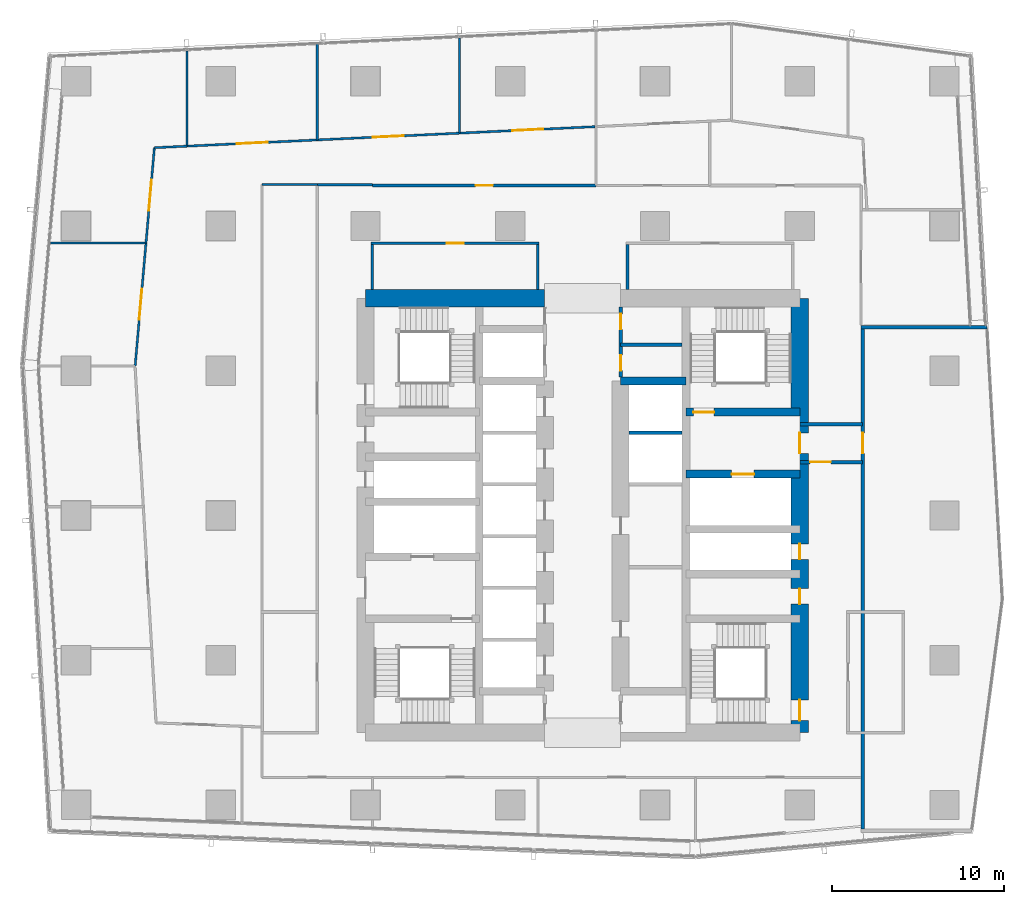
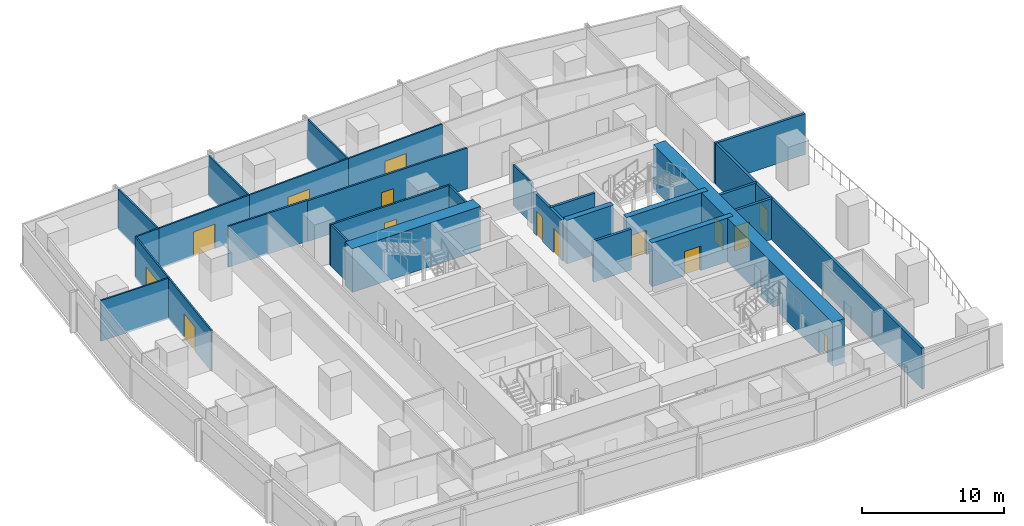
# One storey, part 26 of 34: 29 walls, 17 doors, 17 openings.
"""IFC4 building model written with IfcOpenShell, lengths in metres."""

from ifc_helpers import new_model, si_unit, direction, frame, frame_2d, origin, place, context, subcontext, project, spatial, rectangle, extrude, material, layer, layer_set, type_object, element, fill, save


model = new_model("IFC4")

# Units and contexts
model_context = context("Model", 3, precision=1e-05, world=origin(), true_north=direction((0.0, 1.0)))
body_context = subcontext(model_context, "Body", "Model", "MODEL_VIEW")
ifc_project = project(units=[si_unit("LENGTHUNIT", "METRE"), si_unit("AREAUNIT", "SQUARE_METRE"), si_unit("VOLUMEUNIT", "CUBIC_METRE"), si_unit("PLANEANGLEUNIT", "RADIAN"), si_unit("MASSUNIT", "GRAM", prefix="KILO")], contexts=[model_context])

# Site, building, storey
site_placement = place(None, origin())
site = spatial("IfcSite", under=ifc_project, at=site_placement, CompositionType="ELEMENT")
building_placement = place(site_placement, origin())
building = spatial("IfcBuilding", under=site, at=building_placement, Name="Rekha Terrace Tower", CompositionType="ELEMENT")
storey_placement = place(building_placement, frame((0.0, 0.0, 176.449951171875)))
storey = spatial("IfcBuildingStorey", under=building, at=storey_placement, Name="L44", CompositionType="ELEMENT", Elevation=176.449951171875)

# Wall
ifc_material_1 = material(Name="Concrete M60", Category="concrete")
ifc_layer_1 = layer(ifc_material_1, 0.449951171875)
ifc_layer_set_1 = layer_set([ifc_layer_1], Name="Concrete M60")
wall_type_1 = type_object("IfcWallType", Name="CI3 450 core internal shear wall", PredefinedType="SHEAR", material=ifc_layer_set_1)
wall_1_placement = place(storey_placement, frame((40.0, 41.39990234375, 0.0), z_axis=(0.0, 0.0, 1.0), x_axis=(1.0, 0.0, 0.0)))
element("IfcWall", 1, at=wall_1_placement, inside=storey, type_object=wall_type_1, Name="Core wall Y414E L44", PredefinedType="SHEAR", context=body_context, shape_type="SweptSolid", body=[
    extrude(rectangle(XDim=3.800048828125, YDim=0.449951171875, at=frame_2d((1.89990234375, 0.0))), origin(), (0.0, 0.0, 1.0), 3.75),
])

# Wall, opening, door
wall_2_placement = place(storey_placement, frame((43.800048828125, 36.0, 0.0), z_axis=(0.0, 0.0, 1.0), x_axis=(1.0, 0.0, 0.0)))
wall_2 = element("IfcWall", 2, at=wall_2_placement, inside=storey, type_object=wall_type_1, Name="Core wall Y360E L44", PredefinedType="SHEAR", context=body_context, shape_type="SweptSolid", body=[
    extrude(rectangle(XDim=6.599853515625, YDim=0.449951171875, at=frame_2d((3.2998046875, 0.0))), origin(), (0.0, 0.0, 1.0), 3.75),
])
opening_1_placement = place(wall_2_placement, frame((2.64990234375, 0.0, 0.0)))
opening_1 = element("IfcOpeningElement", 3, at=opening_1_placement, cuts=wall_2, Name="Opening LD2", PredefinedType="OPENING", context=body_context, shape_type="SweptSolid", body=[
    extrude(rectangle(XDim=1.300048828125, YDim=2.10009765625, at=frame_2d((0.64990234375, 1.050048828125))), frame((0.0, 0.23486328125, 0.0), z_axis=(0.0, -1.0, 0.0), x_axis=(1.0, 0.0, 0.0)), (0.0, 0.0, 1.0), 0.469970703125),
])
ifc_material_2 = material(Name="Stainless steel sliding landing door", Category="steel")
door_type_1 = type_object("IfcDoorType", Name="LD2 1300x2100 fire lift landing door", OperationType="SLIDING_TO_LEFT", PredefinedType="USERDEFINED", material=ifc_material_2)
door_1_placement = place(opening_1_placement, origin())
door_1 = element("IfcDoor", 4, at=door_1_placement, inside=storey, type_object=door_type_1, Name="Lift FL2 landing door L44", ObjectType="LIFT LANDING DOOR", OperationType="SLIDING_TO_LEFT", OverallHeight=2.10009765625, OverallWidth=1.300048828125, PredefinedType="USERDEFINED", context=body_context, shape_type="SweptSolid", body=[
    extrude(rectangle(XDim=1.300048828125, YDim=2.10009765625, at=frame_2d((0.64990234375, 1.050048828125))), frame((0.0, 0.02490234375, 0.0), z_axis=(0.0, -1.0, 0.0), x_axis=(1.0, 0.0, 0.0)), (0.0, 0.0, 1.0), 0.050048828125),
])
fill(opening_1, door_1)

wall_3_placement = place(storey_placement, frame((43.800048828125, 39.60009765625, 0.0), z_axis=(0.0, 0.0, 1.0), x_axis=(1.0, 0.0, 0.0)))
wall_3 = element("IfcWall", 5, at=wall_3_placement, inside=storey, type_object=wall_type_1, Name="Core wall Y396E L44", PredefinedType="SHEAR", context=body_context, shape_type="SweptSolid", body=[
    extrude(rectangle(XDim=6.599853515625, YDim=0.449951171875, at=frame_2d((3.2998046875, 0.0))), origin(), (0.0, 0.0, 1.0), 3.75),
])
opening_2_placement = place(wall_3_placement, frame((0.425048828125, 0.0, 0.0)))
opening_2 = element("IfcOpeningElement", 6, at=opening_2_placement, cuts=wall_3, Name="Opening D1", PredefinedType="OPENING", context=body_context, shape_type="SweptSolid", body=[
    extrude(rectangle(XDim=1.199951171875, YDim=2.10009765625, at=frame_2d((0.60009765625, 1.050048828125))), frame((0.0, 0.23486328125, 0.0), z_axis=(0.0, -1.0, 0.0), x_axis=(1.0, 0.0, 0.0)), (0.0, 0.0, 1.0), 0.469970703125),
])
ifc_material_3 = material(Name="Steel fire door", Category="steel")
door_type_2 = type_object("IfcDoorType", Name="D1 1200x2100 stair fire door", OperationType="SINGLE_SWING_RIGHT", PredefinedType="DOOR", material=ifc_material_3)
door_2_placement = place(opening_2_placement, origin())
door_2 = element("IfcDoor", 7, at=door_2_placement, inside=storey, type_object=door_type_2, Name="Stair ST2 door L44", OperationType="SINGLE_SWING_RIGHT", OverallHeight=2.10009765625, OverallWidth=1.199951171875, PredefinedType="DOOR", context=body_context, shape_type="SweptSolid", body=[
    extrude(rectangle(XDim=1.199951171875, YDim=2.10009765625, at=frame_2d((0.60009765625, 1.050048828125))), frame((0.0, 0.02490234375, 0.0), z_axis=(0.0, -1.0, 0.0), x_axis=(1.0, 0.0, 0.0)), (0.0, 0.0, 1.0), 0.050048828125),
])
fill(opening_2, door_2)

# Wall
ifc_layer_2 = layer(ifc_material_1, 1.0)
ifc_layer_set_2 = layer_set([ifc_layer_2], Name="Concrete M60")
wall_type_2 = type_object("IfcWallType", Name="SW3 1000 core outer shear wall", PredefinedType="SHEAR", material=ifc_layer_set_2)
wall_4_placement = place(storey_placement, frame((25.199951171875, 46.199951171875, 0.0), z_axis=(0.0, 0.0, 1.0), x_axis=(1.0, 0.0, 0.0)))
element("IfcWall", 8, at=wall_4_placement, inside=storey, type_object=wall_type_2, Name="Core wall N1 L44", PredefinedType="SHEAR", context=body_context, shape_type="SweptSolid", body=[
    extrude(rectangle(XDim=10.400146484375, YDim=1.0, at=frame_2d((5.2001953125, 0.0))), origin(), (0.0, 0.0, 1.0), 3.75),
])

# Wall, openings, doors
wall_5_placement = place(storey_placement, frame((50.39990234375, 21.0, 0.0), z_axis=(0.0, 0.0, 1.0), x_axis=(0.0, 1.0, 0.0)))
wall_5 = element("IfcWall", 9, at=wall_5_placement, inside=storey, type_object=wall_type_2, Name="Core wall E L44", PredefinedType="SHEAR", context=body_context, shape_type="SweptSolid", body=[
    extrude(rectangle(XDim=25.199951171875, YDim=1.0, at=frame_2d((12.60009765625, 0.0))), origin(), (0.0, 0.0, 1.0), 3.75),
])
opening_3_placement = place(wall_5_placement, frame((16.199951171875, 0.0, 0.0)))
opening_3 = element("IfcOpeningElement", 10, at=opening_3_placement, cuts=wall_5, Name="Opening D2", PredefinedType="OPENING", context=body_context, shape_type="SweptSolid", body=[
    extrude(rectangle(XDim=1.199951171875, YDim=2.10009765625, at=frame_2d((0.60009765625, 1.050048828125))), frame((0.0, 0.510009765625, 0.0), z_axis=(0.0, -1.0, 0.0), x_axis=(1.0, 0.0, 0.0)), (0.0, 0.0, 1.0), 1.02001953125),
])
opening_4_placement = place(wall_5_placement, frame((10.050048828125, 0.0, 0.0)))
opening_4 = element("IfcOpeningElement", 11, at=opening_4_placement, cuts=wall_5, Name="Opening D5", PredefinedType="OPENING", context=body_context, shape_type="SweptSolid", body=[
    extrude(rectangle(XDim=0.89990234375, YDim=2.10009765625, at=frame_2d((0.449951171875, 1.050048828125))), frame((0.0, 0.510009765625, 0.0), z_axis=(0.0, -1.0, 0.0), x_axis=(1.0, 0.0, 0.0)), (0.0, 0.0, 1.0), 1.02001953125),
])
opening_5_placement = place(wall_5_placement, frame((7.449951171875, 0.0, 0.0)))
opening_5 = element("IfcOpeningElement", 12, at=opening_5_placement, cuts=wall_5, Name="Opening D5", PredefinedType="OPENING", context=body_context, shape_type="SweptSolid", body=[
    extrude(rectangle(XDim=0.89990234375, YDim=2.10009765625, at=frame_2d((0.449951171875, 1.050048828125))), frame((0.0, 0.510009765625, 0.0), z_axis=(0.0, -1.0, 0.0), x_axis=(1.0, 0.0, 0.0)), (0.0, 0.0, 1.0), 1.02001953125),
])
opening_6_placement = place(wall_5_placement, frame((0.699951171875, 0.0, 0.0)))
opening_6 = element("IfcOpeningElement", 13, at=opening_6_placement, cuts=wall_5, Name="Opening D1", PredefinedType="OPENING", context=body_context, shape_type="SweptSolid", body=[
    extrude(rectangle(XDim=1.199951171875, YDim=2.10009765625, at=frame_2d((0.60009765625, 1.050048828125))), frame((0.0, 0.510009765625, 0.0), z_axis=(0.0, -1.0, 0.0), x_axis=(1.0, 0.0, 0.0)), (0.0, 0.0, 1.0), 1.02001953125),
])
door_3_placement = place(opening_6_placement, origin())
door_3 = element("IfcDoor", 14, at=door_3_placement, inside=storey, type_object=door_type_2, Name="Stair ST3 door L44", OperationType="SINGLE_SWING_RIGHT", OverallHeight=2.10009765625, OverallWidth=1.199951171875, PredefinedType="DOOR", context=body_context, shape_type="SweptSolid", body=[
    extrude(rectangle(XDim=1.199951171875, YDim=2.10009765625, at=frame_2d((0.60009765625, 1.050048828125))), frame((0.0, 0.02490234375, 0.0), z_axis=(0.0, -1.0, 0.0), x_axis=(1.0, 0.0, 0.0)), (0.0, 0.0, 1.0), 0.050048828125),
])
fill(opening_6, door_3)
door_type_3 = type_object("IfcDoorType", Name="D2 1200x2100 firefighting lobby door", OperationType="SINGLE_SWING_LEFT", PredefinedType="DOOR", material=ifc_material_3)
door_4_placement = place(opening_3_placement, origin())
door_4 = element("IfcDoor", 15, at=door_4_placement, inside=storey, type_object=door_type_3, Name="Door flb2 L44", OperationType="SINGLE_SWING_LEFT", OverallHeight=2.10009765625, OverallWidth=1.199951171875, PredefinedType="DOOR", context=body_context, shape_type="SweptSolid", body=[
    extrude(rectangle(XDim=1.199951171875, YDim=2.10009765625, at=frame_2d((0.60009765625, 1.050048828125))), frame((0.0, 0.02490234375, 0.0), z_axis=(0.0, -1.0, 0.0), x_axis=(1.0, 0.0, 0.0)), (0.0, 0.0, 1.0), 0.050048828125),
])
fill(opening_3, door_4)
door_type_4 = type_object("IfcDoorType", Name="D5 900x2100 riser access door", OperationType="SINGLE_SWING_LEFT", PredefinedType="DOOR", material=ifc_material_3)
door_5_placement = place(opening_4_placement, origin())
door_5 = element("IfcDoor", 16, at=door_5_placement, inside=storey, type_object=door_type_4, Name="Door rs2 L44", OperationType="SINGLE_SWING_LEFT", OverallHeight=2.10009765625, OverallWidth=0.89990234375, PredefinedType="DOOR", context=body_context, shape_type="SweptSolid", body=[
    extrude(rectangle(XDim=0.89990234375, YDim=2.10009765625, at=frame_2d((0.449951171875, 1.050048828125))), frame((0.0, 0.02490234375, 0.0), z_axis=(0.0, -1.0, 0.0), x_axis=(1.0, 0.0, 0.0)), (0.0, 0.0, 1.0), 0.050048828125),
])
fill(opening_4, door_5)
door_6_placement = place(opening_5_placement, origin())
door_6 = element("IfcDoor", 17, at=door_6_placement, inside=storey, type_object=door_type_4, Name="Door ele L44", OperationType="SINGLE_SWING_LEFT", OverallHeight=2.10009765625, OverallWidth=0.89990234375, PredefinedType="DOOR", context=body_context, shape_type="SweptSolid", body=[
    extrude(rectangle(XDim=0.89990234375, YDim=2.10009765625, at=frame_2d((0.449951171875, 1.050048828125))), frame((0.0, 0.02490234375, 0.0), z_axis=(0.0, -1.0, 0.0), x_axis=(1.0, 0.0, 0.0)), (0.0, 0.0, 1.0), 0.050048828125),
])
fill(opening_5, door_6)

# Wall
ifc_material_4 = material(Name="Concrete block masonry, 1 hour", Category="masonry")
ifc_layer_3 = layer(ifc_material_4, 0.14990234375)
ifc_layer_set_3 = layer_set([ifc_layer_3], Name="Concrete block masonry, 1 hour")
wall_type_3 = type_object("IfcWallType", Name="WP2 150 tenancy partition", PredefinedType="PARTITIONING", material=ifc_layer_set_3)
wall_6_placement = place(storey_placement, frame((40.39990234375, 46.699951171875, 0.0), z_axis=(0.0, 0.0, 1.0), x_axis=(0.0, 1.0, 0.0)))
element("IfcWall", 18, at=wall_6_placement, inside=storey, type_object=wall_type_3, Name="Women's WC wall L44", PredefinedType="PARTITIONING", context=body_context, shape_type="SweptSolid", body=[
    extrude(rectangle(XDim=2.625, YDim=0.14990234375, at=frame_2d((1.3125, 0.0))), origin(), (0.0, 0.0, 1.0), 3.5),
])

# Wall, opening, door
wall_7_placement = place(storey_placement, frame((25.52490234375, 49.39990234375, 0.0), z_axis=(0.0, 0.0, 1.0), x_axis=(1.0, 0.0, 0.0)))
wall_7 = element("IfcWall", 19, at=wall_7_placement, inside=storey, type_object=wall_type_3, Name="Women's WC wall L44", PredefinedType="PARTITIONING", context=body_context, shape_type="SweptSolid", body=[
    extrude(rectangle(XDim=9.75, YDim=0.14990234375, at=frame_2d((4.875, 0.0))), origin(), (0.0, 0.0, 1.0), 3.5),
])
opening_7_placement = place(wall_7_placement, frame((4.375, 0.0, 0.0)))
opening_7 = element("IfcOpeningElement", 20, at=opening_7_placement, cuts=wall_7, Name="Opening D3", PredefinedType="OPENING", context=body_context, shape_type="SweptSolid", body=[
    extrude(rectangle(XDim=1.0, YDim=2.10009765625, at=frame_2d((0.5, 1.050048828125))), frame((0.0, 0.0849609375, 0.0), z_axis=(0.0, -1.0, 0.0), x_axis=(1.0, 0.0, 0.0)), (0.0, 0.0, 1.0), 0.169921875),
])
ifc_material_5 = material(Name="Laminated timber fire door", Category="wood")
door_type_5 = type_object("IfcDoorType", Name="D3 1000x2100 WC door", OperationType="SINGLE_SWING_LEFT", PredefinedType="DOOR", material=ifc_material_5)
door_7_placement = place(opening_7_placement, origin())
door_7 = element("IfcDoor", 21, at=door_7_placement, inside=storey, type_object=door_type_5, Name="Door women's wc L44", OperationType="SINGLE_SWING_LEFT", OverallHeight=2.10009765625, OverallWidth=1.0, PredefinedType="DOOR", context=body_context, shape_type="SweptSolid", body=[
    extrude(rectangle(XDim=1.0, YDim=2.10009765625, at=frame_2d((0.5, 1.050048828125))), frame((0.0, 0.02490234375, 0.0), z_axis=(0.0, -1.0, 0.0), x_axis=(1.0, 0.0, 0.0)), (0.0, 0.0, 1.0), 0.050048828125),
])
fill(opening_7, door_7)

# Walls
for number, where, z_axis, x_axis, name in (
    (22, (25.60009765625, 46.699951171875, 0.0), (0.0, 0.0, 1.0), (0.0, 1.0, 0.0), "Women's WC wall L44"),
    (23, (35.199951171875, 46.699951171875, 0.0), (0.0, 0.0, 1.0), (0.0, 1.0, 0.0), "Women's WC wall L44"),
):
    element("IfcWall", number, at=place(storey_placement, frame(where, z_axis=z_axis, x_axis=x_axis)), inside=storey, type_object=wall_type_3, Name=name, PredefinedType="PARTITIONING", context=body_context, shape_type="SweptSolid", body=[
        extrude(rectangle(XDim=2.625, YDim=0.14990234375, at=frame_2d((1.3125, 0.0))), origin(), (0.0, 0.0, 1.0), 3.5),
    ])

# Wall, opening, door
wall_8_placement = place(storey_placement, frame((38.570068359375, 52.75, 0.0), z_axis=(0.0, 0.0, 1.0), x_axis=(-1.0, 0.0, 0.0)))
wall_8 = element("IfcWall", 24, at=wall_8_placement, inside=storey, type_object=wall_type_3, Name="Partition L44-O2", PredefinedType="PARTITIONING", context=body_context, shape_type="SweptSolid", body=[
    extrude(rectangle(XDim=12.968017578125, YDim=0.14990234375, at=frame_2d((6.48388671875, 0.0))), origin(), (0.0, 0.0, 1.0), 3.5),
])
opening_8_placement = place(wall_8_placement, frame((5.98388671875, 0.0, 0.0)))
opening_8 = element("IfcOpeningElement", 25, at=opening_8_placement, cuts=wall_8, Name="Opening D9", PredefinedType="OPENING", context=body_context, shape_type="SweptSolid", body=[
    extrude(rectangle(XDim=1.0, YDim=2.10009765625, at=frame_2d((0.5, 1.050048828125))), frame((0.0, 0.0849609375, 0.0), z_axis=(0.0, -1.0, 0.0), x_axis=(1.0, 0.0, 0.0)), (0.0, 0.0, 1.0), 0.169921875),
])
ifc_material_6 = material(Name="Timber fire door", Category="wood")
door_type_6 = type_object("IfcDoorType", Name="D9 1000x2100 office door", OperationType="SINGLE_SWING_LEFT", PredefinedType="DOOR", material=ifc_material_6)
door_8_placement = place(opening_8_placement, origin())
door_8 = element("IfcDoor", 26, at=door_8_placement, inside=storey, type_object=door_type_6, Name="Door open-plan office L44", OperationType="SINGLE_SWING_LEFT", OverallHeight=2.10009765625, OverallWidth=1.0, PredefinedType="DOOR", context=body_context, shape_type="SweptSolid", body=[
    extrude(rectangle(XDim=1.0, YDim=2.10009765625, at=frame_2d((0.5, 1.050048828125))), frame((0.0, 0.02490234375, 0.0), z_axis=(0.0, -1.0, 0.0), x_axis=(1.0, 0.0, 0.0)), (0.0, 0.0, 1.0), 0.050048828125),
])
fill(opening_8, door_8)

# Wall
wall_9_placement = place(storey_placement, frame((25.60205078125, 52.800048828125, 0.0), z_axis=(0.0, 0.0, 1.0), x_axis=(-1.0, 0.0, 0.0)))
element("IfcWall", 27, at=wall_9_placement, inside=storey, type_object=wall_type_3, Name="Partition L44-O2", PredefinedType="PARTITIONING", context=body_context, shape_type="SweptSolid", body=[
    extrude(rectangle(XDim=3.2021484375, YDim=0.14990234375, at=frame_2d((1.60107421875, 0.0))), origin(), (0.0, 0.0, 1.0), 3.5),
])

# Wall, opening, door
ifc_material_7 = material(Name="Two layers of fire-rated gypsum board each side on steel studs, acoustic quilt, 1 hour", Category="steel")
ifc_layer_4 = layer(ifc_material_7, 0.125)
ifc_layer_set_4 = layer_set([ifc_layer_4], Name="Two layers of fire-rated gypsum board each side on steel studs, acoustic quilt, 1 hour")
wall_type_4 = type_object("IfcWallType", Name="WP3 125 office partition", PredefinedType="PARTITIONING", material=ifc_layer_set_4)
wall_10_placement = place(storey_placement, frame((38.508056640625, 56.160888671875, 0.0), z_axis=(0.0, 0.0, 1.0), x_axis=(-0.998859754224, -0.047740877571, 0.0)))
wall_10 = element("IfcWall", 28, at=wall_10_placement, inside=storey, type_object=wall_type_4, Name="Partition L44-09", PredefinedType="PARTITIONING", context=body_context, shape_type="SweptSolid", body=[
    extrude(rectangle(XDim=7.85498046875, YDim=0.125, at=frame_2d((3.927490234375, 0.0))), origin(), (0.0, 0.0, 1.0), 3.5),
])
opening_9_placement = place(wall_10_placement, frame((2.9970703125, 0.0, 0.0)))
opening_9 = element("IfcOpeningElement", 29, at=opening_9_placement, cuts=wall_10, Name="Opening D8", PredefinedType="OPENING", context=body_context, shape_type="SweptSolid", body=[
    extrude(rectangle(XDim=1.800048828125, YDim=2.10009765625, at=frame_2d((0.89990234375, 1.050048828125))), frame((0.0, 0.072509765625, 0.0), z_axis=(0.0, -1.0, 0.0), x_axis=(1.0, 0.0, 0.0)), (0.0, 0.0, 1.0), 0.14501953125),
])
door_type_7 = type_object("IfcDoorType", Name="D8 1800x2100 double leaf door", OperationType="DOUBLE_DOOR_SINGLE_SWING", PredefinedType="DOOR", material=ifc_material_6)
door_9_placement = place(opening_9_placement, origin())
door_9 = element("IfcDoor", 30, at=door_9_placement, inside=storey, type_object=door_type_7, Name="Door club lounge L44", OperationType="DOUBLE_DOOR_SINGLE_SWING", OverallHeight=2.10009765625, OverallWidth=1.800048828125, PredefinedType="DOOR", context=body_context, shape_type="SweptSolid", body=[
    extrude(rectangle(XDim=1.800048828125, YDim=2.10009765625, at=frame_2d((0.89990234375, 1.050048828125))), frame((0.0, 0.02490234375, 0.0), z_axis=(0.0, -1.0, 0.0), x_axis=(1.0, 0.0, 0.0)), (0.0, 0.0, 1.0), 0.050048828125),
])
fill(opening_9, door_9)

# Wall
wall_11_placement = place(storey_placement, frame((30.662109375, 55.785888671875, 0.0), z_axis=(0.0, 0.0, 1.0), x_axis=(0.0, 1.0, 0.0)))
element("IfcWall", 31, at=wall_11_placement, inside=storey, type_object=wall_type_4, Name="Partition L44-09", PredefinedType="PARTITIONING", context=body_context, shape_type="SweptSolid", body=[
    extrude(rectangle(XDim=5.527099609375, YDim=0.125, at=frame_2d((2.763671875, 0.0))), origin(), (0.0, 0.0, 1.0), 3.5),
])

# Wall, opening, door
wall_12_placement = place(storey_placement, frame((30.660888671875, 55.785888671875, 0.0), z_axis=(0.0, 0.0, 1.0), x_axis=(-0.998865464347, -0.047621257175, 0.0)))
wall_12 = element("IfcWall", 32, at=wall_12_placement, inside=storey, type_object=wall_type_4, Name="Partition L44-10", PredefinedType="PARTITIONING", context=body_context, shape_type="SweptSolid", body=[
    extrude(rectangle(XDim=8.269287109375, YDim=0.125, at=frame_2d((4.134765625, 0.0))), origin(), (0.0, 0.0, 1.0), 3.5),
])
opening_10_placement = place(wall_12_placement, frame((3.235107421875, 0.0, 0.0)))
opening_10 = element("IfcOpeningElement", 33, at=opening_10_placement, cuts=wall_12, Name="Opening D8", PredefinedType="OPENING", context=body_context, shape_type="SweptSolid", body=[
    extrude(rectangle(XDim=1.800048828125, YDim=2.10009765625, at=frame_2d((0.89990234375, 1.050048828125))), frame((0.0, 0.072509765625, 0.0), z_axis=(0.0, -1.0, 0.0), x_axis=(1.0, 0.0, 0.0)), (0.0, 0.0, 1.0), 0.14501953125),
])
door_10_placement = place(opening_10_placement, origin())
door_10 = element("IfcDoor", 34, at=door_10_placement, inside=storey, type_object=door_type_7, Name="Door club lounge L44", OperationType="DOUBLE_DOOR_SINGLE_SWING", OverallHeight=2.10009765625, OverallWidth=1.800048828125, PredefinedType="DOOR", context=body_context, shape_type="SweptSolid", body=[
    extrude(rectangle(XDim=1.800048828125, YDim=2.10009765625, at=frame_2d((0.89990234375, 1.050048828125))), frame((0.0, 0.02490234375, 0.0), z_axis=(0.0, -1.0, 0.0), x_axis=(1.0, 0.0, 0.0)), (0.0, 0.0, 1.0), 0.050048828125),
])
fill(opening_10, door_10)

# Wall
wall_13_placement = place(storey_placement, frame((22.40087890625, 55.39208984375, 0.0), z_axis=(0.0, 0.0, 1.0), x_axis=(0.0, 1.0, 0.0)))
element("IfcWall", 35, at=wall_13_placement, inside=storey, type_object=wall_type_4, Name="Partition L44-10", PredefinedType="PARTITIONING", context=body_context, shape_type="SweptSolid", body=[
    extrude(rectangle(XDim=5.555908203125, YDim=0.125, at=frame_2d((2.77783203125, 0.0))), origin(), (0.0, 0.0, 1.0), 3.5),
])

# Wall, opening, door
wall_14_placement = place(storey_placement, frame((22.39990234375, 55.39208984375, 0.0), z_axis=(0.0, 0.0, 1.0), x_axis=(-0.998854223515, -0.047856453768, 0.0)))
wall_14 = element("IfcWall", 36, at=wall_14_placement, inside=storey, type_object=wall_type_4, Name="Partition L44-11", PredefinedType="PARTITIONING", context=body_context, shape_type="SweptSolid", body=[
    extrude(rectangle(XDim=7.565673828125, YDim=0.125, at=frame_2d((3.78271484375, 0.0))), origin(), (0.0, 0.0, 1.0), 3.5),
])
opening_11_placement = place(wall_14_placement, frame((2.883056640625, 0.0, 0.0)))
opening_11 = element("IfcOpeningElement", 37, at=opening_11_placement, cuts=wall_14, Name="Opening D8", PredefinedType="OPENING", context=body_context, shape_type="SweptSolid", body=[
    extrude(rectangle(XDim=1.800048828125, YDim=2.10009765625, at=frame_2d((0.89990234375, 1.050048828125))), frame((0.0, 0.072509765625, 0.0), z_axis=(0.0, -1.0, 0.0), x_axis=(1.0, 0.0, 0.0)), (0.0, 0.0, 1.0), 0.14501953125),
])
door_11_placement = place(opening_11_placement, origin())
door_11 = element("IfcDoor", 38, at=door_11_placement, inside=storey, type_object=door_type_7, Name="Door club lounge L44", OperationType="DOUBLE_DOOR_SINGLE_SWING", OverallHeight=2.10009765625, OverallWidth=1.800048828125, PredefinedType="DOOR", context=body_context, shape_type="SweptSolid", body=[
    extrude(rectangle(XDim=1.800048828125, YDim=2.10009765625, at=frame_2d((0.89990234375, 1.050048828125))), frame((0.0, 0.02490234375, 0.0), z_axis=(0.0, -1.0, 0.0), x_axis=(1.0, 0.0, 0.0)), (0.0, 0.0, 1.0), 0.050048828125),
])
fill(opening_11, door_11)

# Walls
wall_15_placement = place(storey_placement, frame((14.843017578125, 55.030029296875, 0.0), z_axis=(0.0, 0.0, 1.0), x_axis=(0.0, 1.0, 0.0)))
element("IfcWall", 39, at=wall_15_placement, inside=storey, type_object=wall_type_4, Name="Partition L44-11", PredefinedType="PARTITIONING", context=body_context, shape_type="SweptSolid", body=[
    extrude(rectangle(XDim=5.52685546875, YDim=0.125, at=frame_2d((2.763427734375, 0.0))), origin(), (0.0, 0.0, 1.0), 3.5),
])
wall_16_placement = place(storey_placement, frame((14.842041015625, 55.030029296875, 0.0), z_axis=(0.0, 0.0, 1.0), x_axis=(-0.998869594494, -0.047534547378, 0.0)))
element("IfcWall", 40, at=wall_16_placement, inside=storey, type_object=wall_type_4, Name="Partition L44-12", PredefinedType="PARTITIONING", context=body_context, shape_type="SweptSolid", body=[
    extrude(rectangle(XDim=1.895263671875, YDim=0.125, at=frame_2d((0.94775390625, 0.0))), origin(), (0.0, 0.0, 1.0), 3.5),
])

# Wall, opening, door
wall_17_placement = place(storey_placement, frame((12.948974609375, 54.93994140625, 0.0), z_axis=(0.0, 0.0, 1.0), x_axis=(-0.087848920717, -0.996133809851, 0.0)))
wall_17 = element("IfcWall", 41, at=wall_17_placement, inside=storey, type_object=wall_type_4, Name="Partition L44-12", PredefinedType="PARTITIONING", context=body_context, shape_type="SweptSolid", body=[
    extrude(rectangle(XDim=5.555419921875, YDim=0.125, at=frame_2d((2.77783203125, 0.0))), origin(), (0.0, 0.0, 1.0), 3.5),
])
opening_12_placement = place(wall_17_placement, frame((1.8779296875, 0.0, 0.0)))
opening_12 = element("IfcOpeningElement", 42, at=opening_12_placement, cuts=wall_17, Name="Opening D8", PredefinedType="OPENING", context=body_context, shape_type="SweptSolid", body=[
    extrude(rectangle(XDim=1.800048828125, YDim=2.10009765625, at=frame_2d((0.89990234375, 1.050048828125))), frame((0.0, 0.072509765625, 0.0), z_axis=(0.0, -1.0, 0.0), x_axis=(1.0, 0.0, 0.0)), (0.0, 0.0, 1.0), 0.14501953125),
])
door_12_placement = place(opening_12_placement, origin())
door_12 = element("IfcDoor", 43, at=door_12_placement, inside=storey, type_object=door_type_7, Name="Door club lounge L44", OperationType="DOUBLE_DOOR_SINGLE_SWING", OverallHeight=2.10009765625, OverallWidth=1.800048828125, PredefinedType="DOOR", context=body_context, shape_type="SweptSolid", body=[
    extrude(rectangle(XDim=1.800048828125, YDim=2.10009765625, at=frame_2d((0.89990234375, 1.050048828125))), frame((0.0, 0.02490234375, 0.0), z_axis=(0.0, -1.0, 0.0), x_axis=(1.0, 0.0, 0.0)), (0.0, 0.0, 1.0), 0.050048828125),
])
fill(opening_12, door_12)

# Wall
wall_18_placement = place(storey_placement, frame((12.4609375, 49.406005859375, 0.0), z_axis=(0.0, 0.0, 1.0), x_axis=(-1.0, 0.0, 0.0)))
element("IfcWall", 44, at=wall_18_placement, inside=storey, type_object=wall_type_4, Name="Partition L44-12", PredefinedType="PARTITIONING", context=body_context, shape_type="SweptSolid", body=[
    extrude(rectangle(XDim=5.5419921875, YDim=0.125, at=frame_2d((2.77099609375, 0.0))), origin(), (0.0, 0.0, 1.0), 3.5),
])

# Wall, opening, door
wall_19_placement = place(storey_placement, frame((12.4609375, 49.405029296875, 0.0), z_axis=(0.0, 0.0, 1.0), x_axis=(-0.087961575655, -0.996123868406, 0.0)))
wall_19 = element("IfcWall", 45, at=wall_19_placement, inside=storey, type_object=wall_type_4, Name="Partition L44-13", PredefinedType="PARTITIONING", context=body_context, shape_type="SweptSolid", body=[
    extrude(rectangle(XDim=7.14990234375, YDim=0.125, at=frame_2d((3.574951171875, 0.0))), origin(), (0.0, 0.0, 1.0), 3.5),
])
opening_13_placement = place(wall_19_placement, frame((2.675048828125, 0.0, 0.0)))
opening_13 = element("IfcOpeningElement", 46, at=opening_13_placement, cuts=wall_19, Name="Opening D8", PredefinedType="OPENING", context=body_context, shape_type="SweptSolid", body=[
    extrude(rectangle(XDim=1.800048828125, YDim=2.10009765625, at=frame_2d((0.89990234375, 1.050048828125))), frame((0.0, 0.072509765625, 0.0), z_axis=(0.0, -1.0, 0.0), x_axis=(1.0, 0.0, 0.0)), (0.0, 0.0, 1.0), 0.14501953125),
])
door_13_placement = place(opening_13_placement, origin())
door_13 = element("IfcDoor", 47, at=door_13_placement, inside=storey, type_object=door_type_7, Name="Door dining pantry L44", OperationType="DOUBLE_DOOR_SINGLE_SWING", OverallHeight=2.10009765625, OverallWidth=1.800048828125, PredefinedType="DOOR", context=body_context, shape_type="SweptSolid", body=[
    extrude(rectangle(XDim=1.800048828125, YDim=2.10009765625, at=frame_2d((0.89990234375, 1.050048828125))), frame((0.0, 0.02490234375, 0.0), z_axis=(0.0, -1.0, 0.0), x_axis=(1.0, 0.0, 0.0)), (0.0, 0.0, 1.0), 0.050048828125),
])
fill(opening_13, door_13)

# Walls
wall_20_placement = place(storey_placement, frame((19.199951171875, 52.800048828125, 0.0), z_axis=(0.0, 0.0, 1.0), x_axis=(1.0, 0.0, 0.0)))
element("IfcWall", 48, at=wall_20_placement, inside=storey, type_object=wall_type_4, Name="Partition L44-19", PredefinedType="PARTITIONING", context=body_context, shape_type="SweptSolid", body=[
    extrude(rectangle(XDim=3.199951171875, YDim=0.125, at=frame_2d((1.60009765625, 0.0))), origin(), (0.0, 0.0, 1.0), 3.5),
])
ifc_material_8 = material(Name="Solid concrete block masonry, 2 hour", Category="masonry")
ifc_layer_5 = layer(ifc_material_8, 0.199951171875)
ifc_layer_set_5 = layer_set([ifc_layer_5], Name="Solid concrete block masonry, 2 hour")
wall_type_5 = type_object("IfcWallType", Name="WS1 200 stair and shaft enclosure", PredefinedType="PARTITIONING", material=ifc_layer_set_5)
wall_21_placement = place(storey_placement, frame((40.5, 38.39990234375, 0.0), z_axis=(0.0, 0.0, 1.0), x_axis=(1.0, 0.0, 0.0)))
element("IfcWall", 49, at=wall_21_placement, inside=storey, type_object=wall_type_5, Name="Lift shaft divider L44", PredefinedType="PARTITIONING", context=body_context, shape_type="SweptSolid", body=[
    extrude(rectangle(XDim=3.074951171875, YDim=0.199951171875, at=frame_2d((1.53759765625, 0.0))), origin(), (0.0, 0.0, 1.0), 3.5),
])

# Wall, openings, doors
wall_22_placement = place(storey_placement, frame((40.0, 41.625, 0.0), z_axis=(0.0, 0.0, 1.0), x_axis=(0.0, 1.0, 0.0)))
wall_22 = element("IfcWall", 50, at=wall_22_placement, inside=storey, type_object=wall_type_5, Name="Core partition elec L44", PredefinedType="PARTITIONING", context=body_context, shape_type="SweptSolid", body=[
    extrude(rectangle(XDim=4.074951171875, YDim=0.199951171875, at=frame_2d((2.03759765625, 0.0))), origin(), (0.0, 0.0, 1.0), 3.5),
])
opening_14_placement = place(wall_22_placement, frame((2.77490234375, 0.0, 0.0)))
opening_14 = element("IfcOpeningElement", 51, at=opening_14_placement, cuts=wall_22, Name="Opening D5", PredefinedType="OPENING", context=body_context, shape_type="SweptSolid", body=[
    extrude(rectangle(XDim=0.89990234375, YDim=2.10009765625, at=frame_2d((0.449951171875, 1.050048828125))), frame((0.0, 0.10986328125, 0.0), z_axis=(0.0, -1.0, 0.0), x_axis=(1.0, 0.0, 0.0)), (0.0, 0.0, 1.0), 0.219970703125),
])
opening_15_placement = place(wall_22_placement, frame((0.375, 0.0, 0.0)))
opening_15 = element("IfcOpeningElement", 52, at=opening_15_placement, cuts=wall_22, Name="Opening D5", PredefinedType="OPENING", context=body_context, shape_type="SweptSolid", body=[
    extrude(rectangle(XDim=0.89990234375, YDim=2.10009765625, at=frame_2d((0.449951171875, 1.050048828125))), frame((0.0, 0.10986328125, 0.0), z_axis=(0.0, -1.0, 0.0), x_axis=(1.0, 0.0, 0.0)), (0.0, 0.0, 1.0), 0.219970703125),
])
door_14_placement = place(opening_14_placement, origin())
door_14 = element("IfcDoor", 53, at=door_14_placement, inside=storey, type_object=door_type_4, Name="Door electrical room L44", OperationType="SINGLE_SWING_LEFT", OverallHeight=2.10009765625, OverallWidth=0.89990234375, PredefinedType="DOOR", context=body_context, shape_type="SweptSolid", body=[
    extrude(rectangle(XDim=0.89990234375, YDim=2.10009765625, at=frame_2d((0.449951171875, 1.050048828125))), frame((0.0, 0.02490234375, 0.0), z_axis=(0.0, -1.0, 0.0), x_axis=(1.0, 0.0, 0.0)), (0.0, 0.0, 1.0), 0.050048828125),
])
fill(opening_14, door_14)
door_15_placement = place(opening_15_placement, origin())
door_15 = element("IfcDoor", 54, at=door_15_placement, inside=storey, type_object=door_type_4, Name="Door records store L44", OperationType="SINGLE_SWING_LEFT", OverallHeight=2.10009765625, OverallWidth=0.89990234375, PredefinedType="DOOR", context=body_context, shape_type="SweptSolid", body=[
    extrude(rectangle(XDim=0.89990234375, YDim=2.10009765625, at=frame_2d((0.449951171875, 1.050048828125))), frame((0.0, 0.02490234375, 0.0), z_axis=(0.0, -1.0, 0.0), x_axis=(1.0, 0.0, 0.0)), (0.0, 0.0, 1.0), 0.050048828125),
])
fill(opening_15, door_15)

# Wall
wall_23_placement = place(storey_placement, frame((40.0, 43.5, 0.0), z_axis=(0.0, 0.0, 1.0), x_axis=(1.0, 0.0, 0.0)))
element("IfcWall", 55, at=wall_23_placement, inside=storey, type_object=wall_type_5, Name="Core partition elx L44", PredefinedType="PARTITIONING", context=body_context, shape_type="SweptSolid", body=[
    extrude(rectangle(XDim=3.574951171875, YDim=0.199951171875, at=frame_2d((1.78759765625, 0.0))), origin(), (0.0, 0.0, 1.0), 3.5),
])

# Wall, opening, door
wall_24_placement = place(storey_placement, frame((54.050048828125, 15.39697265625, 0.0), z_axis=(0.0, 0.0, 1.0), x_axis=(0.0, 1.0, 0.0)))
wall_24 = element("IfcWall", 56, at=wall_24_placement, inside=storey, type_object=wall_type_5, Name="Refuge area inner wall L44", PredefinedType="PARTITIONING", context=body_context, shape_type="SweptSolid", body=[
    extrude(rectangle(XDim=29.031005859375, YDim=0.199951171875, at=frame_2d((14.515625, 0.0))), origin(), (0.0, 0.0, 1.0), 3.5),
])
opening_16_placement = place(wall_24_placement, frame((21.802978515625, 0.0, 0.0)))
opening_16 = element("IfcOpeningElement", 57, at=opening_16_placement, cuts=wall_24, Name="Opening D2", PredefinedType="OPENING", context=body_context, shape_type="SweptSolid", body=[
    extrude(rectangle(XDim=1.199951171875, YDim=2.10009765625, at=frame_2d((0.60009765625, 1.050048828125))), frame((0.0, 0.10986328125, 0.0), z_axis=(0.0, -1.0, 0.0), x_axis=(1.0, 0.0, 0.0)), (0.0, 0.0, 1.0), 0.219970703125),
])
door_16_placement = place(opening_16_placement, origin())
door_16 = element("IfcDoor", 58, at=door_16_placement, inside=storey, type_object=door_type_3, Name="Refuge area door L44", OperationType="SINGLE_SWING_LEFT", OverallHeight=2.10009765625, OverallWidth=1.199951171875, PredefinedType="DOOR", context=body_context, shape_type="SweptSolid", body=[
    extrude(rectangle(XDim=1.199951171875, YDim=2.10009765625, at=frame_2d((0.60009765625, 1.050048828125))), frame((0.0, 0.02490234375, 0.0), z_axis=(0.0, -1.0, 0.0), x_axis=(1.0, 0.0, 0.0)), (0.0, 0.0, 1.0), 0.050048828125),
])
fill(opening_16, door_16)

# Walls
wall_25_placement = place(storey_placement, frame((53.949951171875, 44.528076171875, 0.0), z_axis=(0.0, 0.0, 1.0), x_axis=(1.0, 0.0, 0.0)))
element("IfcWall", 59, at=wall_25_placement, inside=storey, type_object=wall_type_5, Name="Refuge area north wall L44", PredefinedType="PARTITIONING", context=body_context, shape_type="SweptSolid", body=[
    extrude(rectangle(XDim=7.303955078125, YDim=0.199951171875, at=frame_2d((3.65185546875, 0.0))), origin(), (0.0, 0.0, 1.0), 3.5),
])
wall_26_placement = place(storey_placement, frame((50.39990234375, 38.89990234375, 0.0), z_axis=(0.0, 0.0, 1.0), x_axis=(1.0, 0.0, 0.0)))
element("IfcWall", 60, at=wall_26_placement, inside=storey, type_object=wall_type_5, Name="Refuge corridor north wall L44", PredefinedType="PARTITIONING", context=body_context, shape_type="SweptSolid", body=[
    extrude(rectangle(XDim=3.650146484375, YDim=0.199951171875, at=frame_2d((1.8251953125, 0.0))), origin(), (0.0, 0.0, 1.0), 3.5),
])

# Wall, opening, door
wall_27_placement = place(storey_placement, frame((50.39990234375, 36.699951171875, 0.0), z_axis=(0.0, 0.0, 1.0), x_axis=(1.0, 0.0, 0.0)))
wall_27 = element("IfcWall", 61, at=wall_27_placement, inside=storey, type_object=wall_type_5, Name="Refuge corridor south wall L44", PredefinedType="PARTITIONING", context=body_context, shape_type="SweptSolid", body=[
    extrude(rectangle(XDim=3.650146484375, YDim=0.199951171875, at=frame_2d((1.8251953125, 0.0))), origin(), (0.0, 0.0, 1.0), 3.5),
])
opening_17_placement = place(wall_27_placement, frame((0.60009765625, 0.0, 0.0)))
opening_17 = element("IfcOpeningElement", 62, at=opening_17_placement, cuts=wall_27, Name="Opening D2", PredefinedType="OPENING", context=body_context, shape_type="SweptSolid", body=[
    extrude(rectangle(XDim=1.199951171875, YDim=2.10009765625, at=frame_2d((0.60009765625, 1.050048828125))), frame((0.0, 0.10986328125, 0.0), z_axis=(0.0, -1.0, 0.0), x_axis=(1.0, 0.0, 0.0)), (0.0, 0.0, 1.0), 0.219970703125),
])
door_17_placement = place(opening_17_placement, origin())
door_17 = element("IfcDoor", 63, at=door_17_placement, inside=storey, type_object=door_type_3, Name="Refuge corridor door L44", OperationType="SINGLE_SWING_LEFT", OverallHeight=2.10009765625, OverallWidth=1.199951171875, PredefinedType="DOOR", context=body_context, shape_type="SweptSolid", body=[
    extrude(rectangle(XDim=1.199951171875, YDim=2.10009765625, at=frame_2d((0.60009765625, 1.050048828125))), frame((0.0, 0.02490234375, 0.0), z_axis=(0.0, -1.0, 0.0), x_axis=(1.0, 0.0, 0.0)), (0.0, 0.0, 1.0), 0.050048828125),
])
fill(opening_17, door_17)

save(model, "model.ifc")
